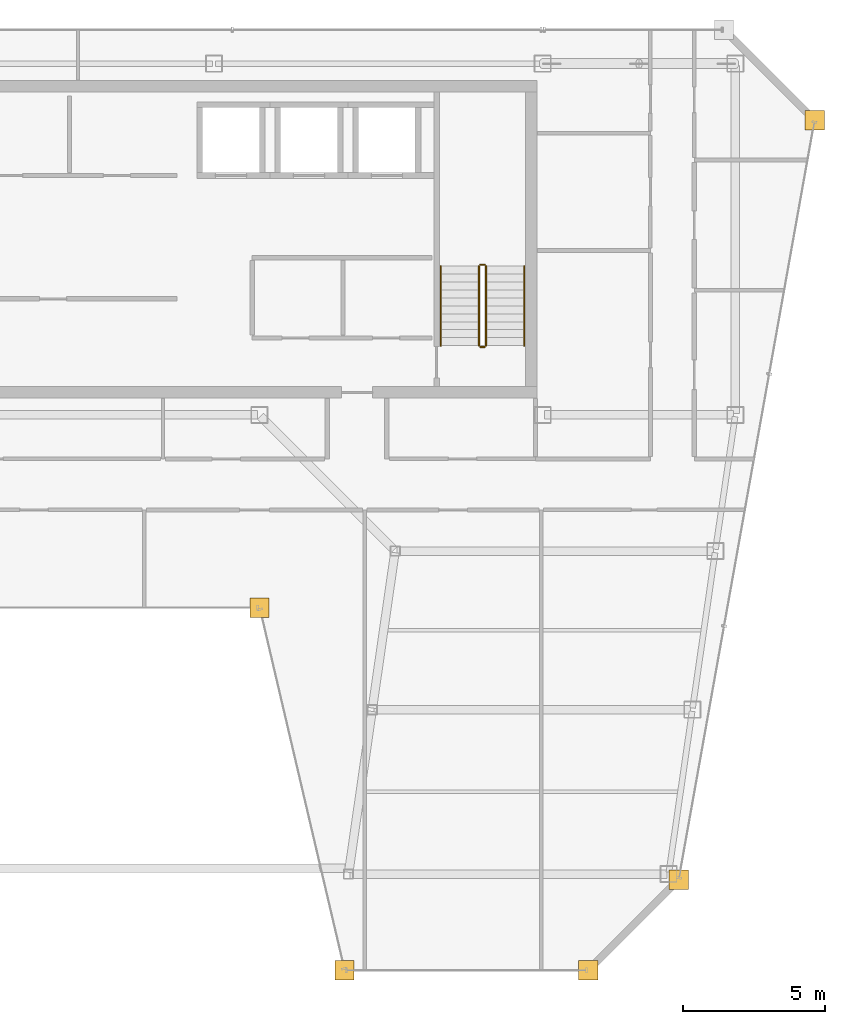
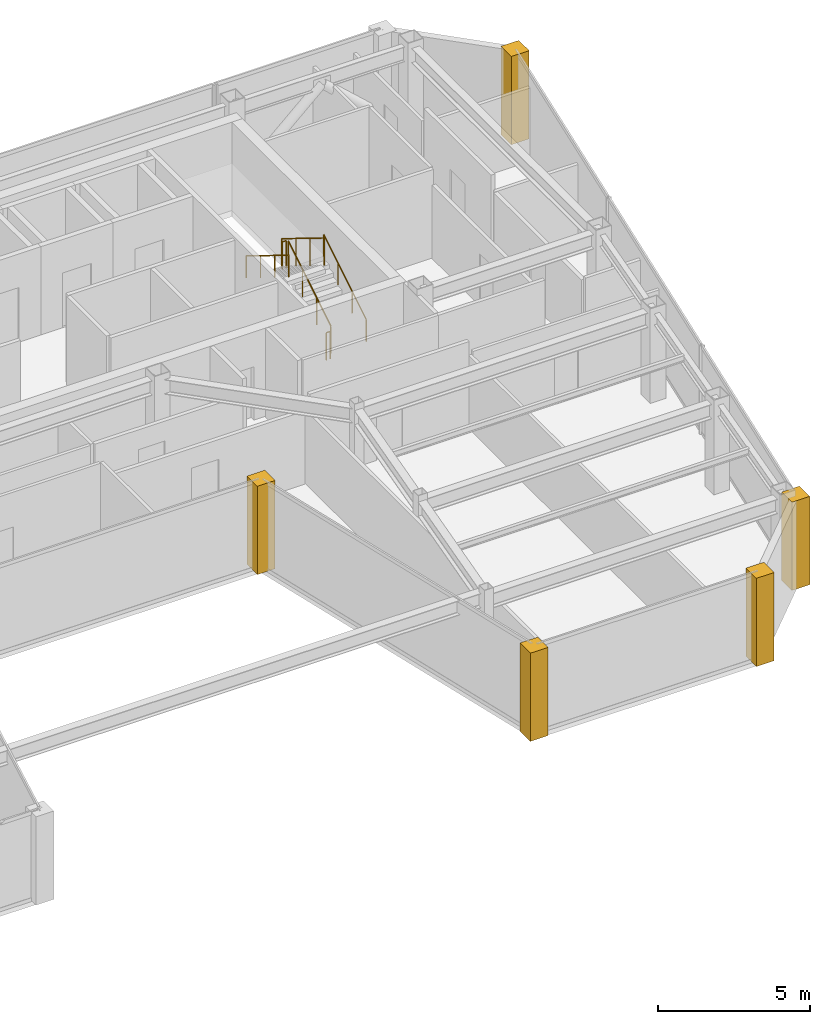
# One storey, part 31 of 32: 6 railings, 5 coverings.
"""IFC4 building model written with IfcOpenShell, lengths in metres."""

from ifc_helpers import new_model, si_unit, direction, frame, origin, origin_2d, place, context, subcontext, project, spatial, polyline, circle, outline, extrude, material, layer, layer_set, type_object, element, save


model = new_model("IFC4")

# Units and contexts
model_context = context("Model", 3, precision=1e-05, world=origin(), true_north=direction((0.0, 1.0)))
body_context = subcontext(model_context, "Body", "Model", "MODEL_VIEW")
ifc_project = project(units=[si_unit("LENGTHUNIT", "METRE"), si_unit("AREAUNIT", "SQUARE_METRE"), si_unit("VOLUMEUNIT", "CUBIC_METRE"), si_unit("PLANEANGLEUNIT", "RADIAN"), si_unit("MASSUNIT", "GRAM", prefix="KILO")], contexts=[model_context])

# Site, building, storey
site_placement = place(None, origin())
site = spatial("IfcSite", under=ifc_project, at=site_placement, CompositionType="ELEMENT")
building_placement = place(site_placement, origin())
building = spatial("IfcBuilding", under=site, at=building_placement, Name="Saevonmaru Cultural Tower", CompositionType="ELEMENT")
storey_placement = place(building_placement, frame((0.0, 0.0, 261.0)))
storey = spatial("IfcBuildingStorey", under=building, at=storey_placement, Name="L61", CompositionType="ELEMENT", Elevation=261.0)

# Coverings
ifc_material_1 = material(Name="Satin Bronze Anodised Aluminium", Category="aluminium")
ifc_layer = layer(ifc_material_1, 0.679931640625, Name="Satin Bronze Anodised Aluminium")
ifc_layer_set = layer_set([ifc_layer], Name="Satin Bronze Anodised Aluminium")
covering_type = type_object("IfcCoveringType", Name="CV-CORNER-CLAD", PredefinedType="CLADDING", material=ifc_layer_set)
covering_1_placement = place(storey_placement, origin())
element("IfcCovering", 1, at=covering_1_placement, inside=storey, type_object=covering_type, Name="L61 Tower Bronze Corner Cladding Pier 5", PredefinedType="CLADDING", context=body_context, shape_type="SweptSolid", body=[
    extrude(outline(polyline([(36.06396484375, 35.260009765625), (36.743896484375, 35.260009765625), (36.743896484375, 35.93994140625), (36.06396484375, 35.93994140625), (36.06396484375, 35.260009765625)])), origin(), (0.0, 0.0, 1.0), 3.550048828125),
])
covering_2_placement = place(storey_placement, origin())
element("IfcCovering", 2, at=covering_2_placement, inside=storey, type_object=covering_type, Name="L61 Tower Bronze Corner Cladding Pier 6", PredefinedType="CLADDING", context=body_context, shape_type="SweptSolid", body=[
    extrude(outline(polyline([(39.06396484375, 22.4599609375), (39.743896484375, 22.4599609375), (39.743896484375, 23.139892578125), (39.06396484375, 23.139892578125), (39.06396484375, 22.4599609375)])), origin(), (0.0, 0.0, 1.0), 3.550048828125),
])
covering_3_placement = place(storey_placement, origin())
element("IfcCovering", 3, at=covering_3_placement, inside=storey, type_object=covering_type, Name="L61 Tower Bronze Corner Cladding Pier 7", PredefinedType="CLADDING", context=body_context, shape_type="SweptSolid", body=[
    extrude(outline(polyline([(47.6640625, 22.4599609375), (48.343994140625, 22.4599609375), (48.343994140625, 23.139892578125), (47.6640625, 23.139892578125), (47.6640625, 22.4599609375)])), origin(), (0.0, 0.0, 1.0), 3.550048828125),
])
covering_4_placement = place(storey_placement, origin())
element("IfcCovering", 4, at=covering_4_placement, inside=storey, type_object=covering_type, Name="L61 Tower Bronze Corner Cladding Pier 8", PredefinedType="CLADDING", context=body_context, shape_type="SweptSolid", body=[
    extrude(outline(polyline([(50.864013671875, 25.659912109375), (51.5439453125, 25.659912109375), (51.5439453125, 26.340087890625), (50.864013671875, 26.340087890625), (50.864013671875, 25.659912109375)])), origin(), (0.0, 0.0, 1.0), 3.550048828125),
])
covering_5_placement = place(storey_placement, origin())
element("IfcCovering", 5, at=covering_5_placement, inside=storey, type_object=covering_type, Name="L61 Tower Bronze Corner Cladding Pier 9", PredefinedType="CLADDING", context=body_context, shape_type="SweptSolid", body=[
    extrude(outline(polyline([(55.659912109375, 52.4599609375), (56.340087890625, 52.4599609375), (56.340087890625, 53.139892578125), (55.659912109375, 53.139892578125), (55.659912109375, 52.4599609375)])), origin(), (0.0, 0.0, 1.0), 3.550048828125),
])

# Railings
ifc_material_2 = material(Name="Architectural Painted Steel", Category="steel")
railing_type_1 = type_object("IfcRailingType", Name="RL-STAIR-GUARD", PredefinedType="GUARDRAIL", material=ifc_material_2)
railing_1_placement = place(storey_placement, frame((44.39990234375, 44.85009765625, 0.172607421875)))
element("IfcRailing", 6, at=railing_1_placement, inside=storey, type_object=railing_type_1, Name="L61 ST-2 stair guard 1", PredefinedType="GUARDRAIL", context=body_context, shape_type="SweptSolid", body=[
    extrude(circle(Radius=0.02392578125, at=origin_2d()), frame((0.0, 0.0, 1.09619140625), z_axis=(0.0, 0.851069175582, 0.525053576669), x_axis=(-1.0, 0.0, 0.0)), (0.0, 0.0, 1.0), 3.289794921875),
    extrude(circle(Radius=0.02099609375, at=origin_2d()), origin(), (0.0, 0.0, 1.0), 1.072021484375),
    extrude(circle(Radius=0.02099609375, at=origin_2d()), frame((0.0, 0.933349609375, 0.57568359375)), (0.0, 0.0, 1.0), 1.072021484375),
    extrude(circle(Radius=0.02099609375, at=origin_2d()), frame((0.0, 1.866455078125, 1.151611328125)), (0.0, 0.0, 1.0), 1.072021484375),
    extrude(circle(Radius=0.02099609375, at=origin_2d()), frame((0.0, 2.7998046875, 1.727294921875)), (0.0, 0.0, 1.0), 1.072021484375),
])
railing_2_placement = place(storey_placement, frame((44.35009765625, 47.699951171875, 1.89990234375)))
element("IfcRailing", 7, at=railing_2_placement, inside=storey, type_object=railing_type_1, Name="L61 ST-2 stair guard 2", PredefinedType="GUARDRAIL", context=body_context, shape_type="SweptSolid", body=[
    extrude(circle(Radius=0.02392578125, at=origin_2d()), frame((0.0, 0.0, 1.09619140625), z_axis=(-1.0, 0.0, 0.0), x_axis=(0.0, -1.0, 0.0)), (0.0, 0.0, 1.0), 0.150146484375),
    extrude(circle(Radius=0.02099609375, at=origin_2d()), origin(), (0.0, 0.0, 1.0), 1.072021484375),
    extrude(circle(Radius=0.02099609375, at=origin_2d()), frame((-0.150146484375, 0.0, 0.0)), (0.0, 0.0, 1.0), 1.072021484375),
])
railing_3_placement = place(storey_placement, frame((44.14990234375, 47.64990234375, 2.07275390625)))
element("IfcRailing", 8, at=railing_3_placement, inside=storey, type_object=railing_type_1, Name="L61 ST-2 stair guard 3", PredefinedType="GUARDRAIL", context=body_context, shape_type="SweptSolid", body=[
    extrude(circle(Radius=0.02392578125, at=origin_2d()), frame((0.0, 0.0, 1.09619140625), z_axis=(0.0, -0.851069175582, 0.525053576669), x_axis=(1.0, 0.0, 0.0)), (0.0, 0.0, 1.0), 3.289794921875),
    extrude(circle(Radius=0.02099609375, at=origin_2d()), origin(), (0.0, 0.0, 1.0), 1.072021484375),
    extrude(circle(Radius=0.02099609375, at=origin_2d()), frame((0.0, -0.933349609375, 0.57568359375)), (0.0, 0.0, 1.0), 1.072021484375),
    extrude(circle(Radius=0.02099609375, at=origin_2d()), frame((0.0, -1.866455078125, 1.151611328125)), (0.0, 0.0, 1.0), 1.072021484375),
    extrude(circle(Radius=0.02099609375, at=origin_2d()), frame((0.0, -2.7998046875, 1.727294921875)), (0.0, 0.0, 1.0), 1.072021484375),
])
railing_4_placement = place(storey_placement, frame((44.35009765625, 44.800048828125, 0.0)))
element("IfcRailing", 9, at=railing_4_placement, inside=storey, type_object=railing_type_1, Name="L61 ST-2 stair guard 4", PredefinedType="GUARDRAIL", context=body_context, shape_type="SweptSolid", body=[
    extrude(circle(Radius=0.02392578125, at=origin_2d()), frame((0.0, 0.0, 1.09619140625), z_axis=(-1.0, 0.0, 0.0), x_axis=(0.0, -1.0, 0.0)), (0.0, 0.0, 1.0), 0.150146484375),
    extrude(circle(Radius=0.02099609375, at=origin_2d()), origin(), (0.0, 0.0, 1.0), 1.072021484375),
    extrude(circle(Radius=0.02099609375, at=origin_2d()), frame((-0.150146484375, 0.0, 0.0)), (0.0, 0.0, 1.0), 1.072021484375),
])
railing_type_2 = type_object("IfcRailingType", Name="RL-STAIR-HANDRAIL", PredefinedType="HANDRAIL", material=ifc_material_1)
railing_5_placement = place(storey_placement, frame((45.75, 44.85009765625, 0.172607421875)))
element("IfcRailing", 10, at=railing_5_placement, inside=storey, type_object=railing_type_2, Name="L61 ST-2 stair handrail 1", PredefinedType="HANDRAIL", context=body_context, shape_type="SweptSolid", body=[
    extrude(circle(Radius=0.02392578125, at=origin_2d()), frame((0.0, 0.0, 0.8759765625), z_axis=(0.0, 0.851069175582, 0.525053576669), x_axis=(-1.0, 0.0, 0.0)), (0.0, 0.0, 1.0), 3.289794921875),
    extrude(circle(Radius=0.02099609375, at=origin_2d()), origin(), (0.0, 0.0, 1.0), 0.851806640625),
    extrude(circle(Radius=0.02099609375, at=origin_2d()), frame((0.0, 0.933349609375, 0.57568359375)), (0.0, 0.0, 1.0), 0.851806640625),
    extrude(circle(Radius=0.02099609375, at=origin_2d()), frame((0.0, 1.866455078125, 1.151611328125)), (0.0, 0.0, 1.0), 0.851806640625),
    extrude(circle(Radius=0.02099609375, at=origin_2d()), frame((0.0, 2.7998046875, 1.727294921875)), (0.0, 0.0, 1.0), 0.851806640625),
])
railing_6_placement = place(storey_placement, frame((42.800048828125, 47.64990234375, 2.07275390625)))
element("IfcRailing", 11, at=railing_6_placement, inside=storey, type_object=railing_type_2, Name="L61 ST-2 stair handrail 2", PredefinedType="HANDRAIL", context=body_context, shape_type="SweptSolid", body=[
    extrude(circle(Radius=0.02392578125, at=origin_2d()), frame((0.0, 0.0, 0.8759765625), z_axis=(0.0, -0.851069175582, 0.525053576669), x_axis=(1.0, 0.0, 0.0)), (0.0, 0.0, 1.0), 3.289794921875),
    extrude(circle(Radius=0.02099609375, at=origin_2d()), origin(), (0.0, 0.0, 1.0), 0.851806640625),
    extrude(circle(Radius=0.02099609375, at=origin_2d()), frame((0.0, -0.933349609375, 0.57568359375)), (0.0, 0.0, 1.0), 0.851806640625),
    extrude(circle(Radius=0.02099609375, at=origin_2d()), frame((0.0, -1.866455078125, 1.151611328125)), (0.0, 0.0, 1.0), 0.851806640625),
    extrude(circle(Radius=0.02099609375, at=origin_2d()), frame((0.0, -2.7998046875, 1.727294921875)), (0.0, 0.0, 1.0), 0.851806640625),
])

save(model, "model.ifc")
